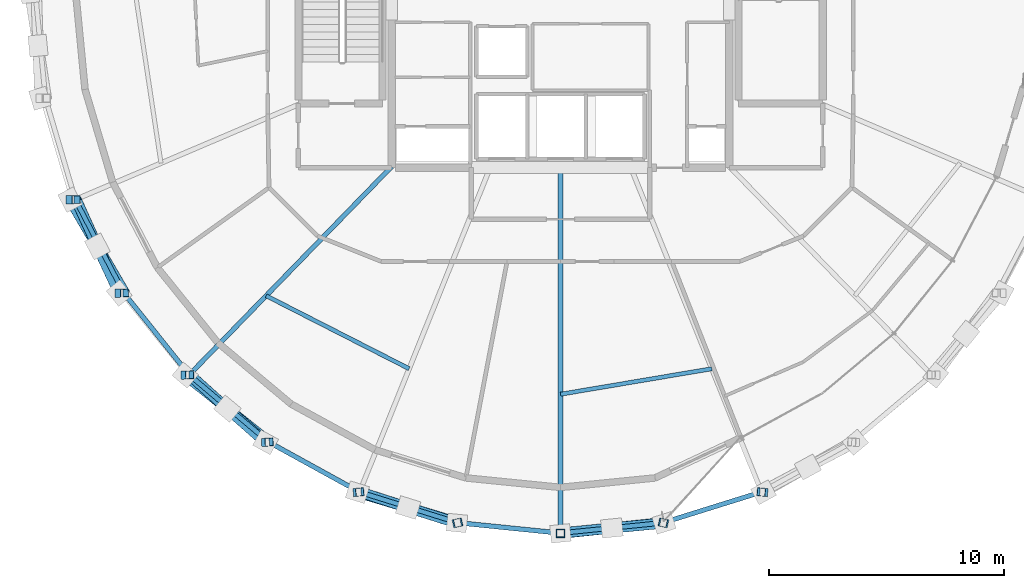
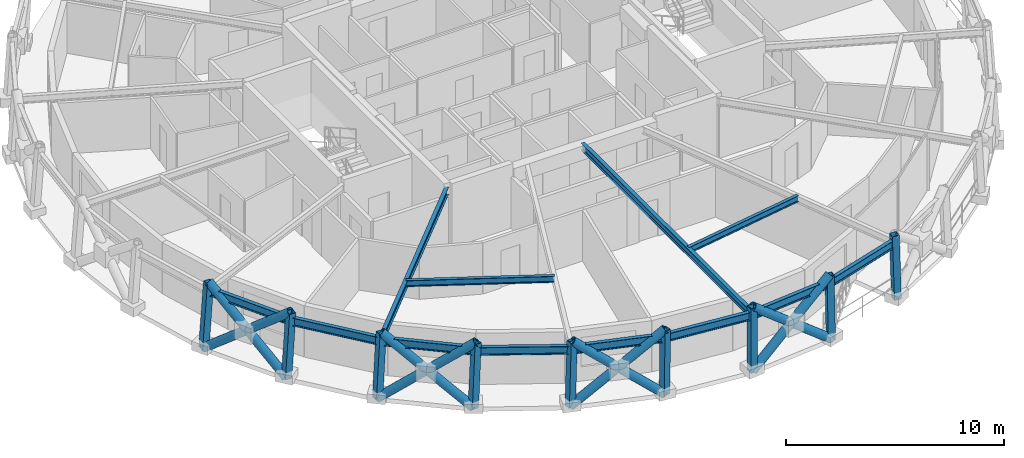
# One storey, part 1 of 15: 21 members, 12 beams.
"""IFC4 building model written with IfcOpenShell, lengths in metres."""

from ifc_helpers import new_model, si_unit, direction, frame, origin, origin_2d, place, context, subcontext, project, spatial, hollow_rectangle, hollow_circle, i_section, extrude, material, material_profile, profile_set, type_object, element, save


model = new_model("IFC4")

# Units and contexts
model_context = context("Model", 3, precision=1e-05, world=origin(), true_north=direction((0.0, 1.0)))
body_context = subcontext(model_context, "Body", "Model", "MODEL_VIEW")
ifc_project = project(units=[si_unit("LENGTHUNIT", "METRE"), si_unit("AREAUNIT", "SQUARE_METRE"), si_unit("VOLUMEUNIT", "CUBIC_METRE"), si_unit("PLANEANGLEUNIT", "RADIAN"), si_unit("MASSUNIT", "GRAM", prefix="KILO")], contexts=[model_context])

# Site, building, storey
site_placement = place(None, origin())
site = spatial("IfcSite", under=ifc_project, at=site_placement, CompositionType="ELEMENT")
building_placement = place(site_placement, origin())
building = spatial("IfcBuilding", under=site, at=building_placement, Name="Veldorina Hangang Commons", CompositionType="ELEMENT")
storey_placement = place(building_placement, frame((0.0, 0.0, 254.39990234375)))
storey = spatial("IfcBuildingStorey", under=building, at=storey_placement, Name="L66", CompositionType="ELEMENT", Elevation=254.39990234375)

# Beams
ifc_material = material(Name="Steel SM355-TMC", Category="steel")
ifc_material_profile_1 = material_profile(ifc_material, i_section(OverallWidth=0.199951171875, OverallDepth=0.39990234375, WebThickness=0.008056640625, FlangeThickness=0.012939453125, FilletRadius=0.012939453125, at=origin_2d()), Name="H-400x200x8x13")
ifc_profile_set_1 = profile_set([ifc_material_profile_1], Name="Steel SM355-TMC")
beam_type_1 = type_object("IfcBeamType", Name="BM-FG400", PredefinedType="BEAM", material=ifc_profile_set_1)
beam_1_placement = place(storey_placement, frame((24.800048828125, 16.59228515625, 3.16015625), z_axis=(-0.696970842647, -0.717099466253, 0.0), x_axis=(0.717099466253, -0.696970842647, 0.0)))
element("IfcBeam", 1, at=beam_1_placement, inside=storey, type_object=beam_type_1, Name="L66 radial floor girder 11", PredefinedType="BEAM", context=body_context, shape_type="SweptSolid", body=[
    extrude(i_section(OverallWidth=0.199951171875, OverallDepth=0.39990234375, WebThickness=0.008056640625, FlangeThickness=0.012939453125, FilletRadius=0.012939453125, at=origin_2d()), origin(), (0.0, 0.0, 1.0), 12.3837890625),
])
beam_2_placement = place(storey_placement, frame((32.0, 16.550048828125, 3.16015625), z_axis=(0.0, -1.0, 0.0), x_axis=(1.0, 0.0, 0.0)))
element("IfcBeam", 2, at=beam_2_placement, inside=storey, type_object=beam_type_1, Name="L66 radial floor girder 13", PredefinedType="BEAM", context=body_context, shape_type="SweptSolid", body=[
    extrude(i_section(OverallWidth=0.199951171875, OverallDepth=0.39990234375, WebThickness=0.008056640625, FlangeThickness=0.012939453125, FilletRadius=0.012939453125, at=origin_2d()), origin(), (0.0, 0.0, 1.0), 15.5849609375),
])
ifc_material_profile_2 = material_profile(ifc_material, i_section(OverallWidth=0.175048828125, OverallDepth=0.35009765625, WebThickness=0.007080078125, FlangeThickness=0.010986328125, FilletRadius=0.012939453125, at=origin_2d()), Name="H-350x175x7x11")
ifc_profile_set_2 = profile_set([ifc_material_profile_2], Name="Steel SM355-TMC")
beam_type_2 = type_object("IfcBeamType", Name="BM-JST350", PredefinedType="JOIST", material=ifc_profile_set_2)
beam_3_placement = place(storey_placement, frame((19.44873046875, 11.08642578125, 3.18505859375), z_axis=(0.890775419184, -0.454443783738, 0.0), x_axis=(0.454443783738, 0.890775419184, 0.0)))
element("IfcBeam", 3, at=beam_3_placement, inside=storey, type_object=beam_type_2, Name="L66 secondary floor joist 11", PredefinedType="JOIST", context=body_context, shape_type="SweptSolid", body=[
    extrude(i_section(OverallWidth=0.175048828125, OverallDepth=0.35009765625, WebThickness=0.007080078125, FlangeThickness=0.010986328125, FilletRadius=0.012939453125, at=origin_2d()), origin(), (0.0, 0.0, 1.0), 6.847412109375),
])
beam_4_placement = place(storey_placement, frame((32.0, 6.887451171875, 3.18505859375), z_axis=(0.986097851837, 0.166165660116, 0.0), x_axis=(-0.166165660116, 0.986097851837, 0.0)))
element("IfcBeam", 4, at=beam_4_placement, inside=storey, type_object=beam_type_2, Name="L66 secondary floor joist 13", PredefinedType="JOIST", context=body_context, shape_type="SweptSolid", body=[
    extrude(i_section(OverallWidth=0.175048828125, OverallDepth=0.35009765625, WebThickness=0.007080078125, FlangeThickness=0.010986328125, FilletRadius=0.012939453125, at=origin_2d()), origin(), (0.0, 0.0, 1.0), 6.542724609375),
])
ifc_material_profile_3 = material_profile(ifc_material, i_section(OverallWidth=0.199951171875, OverallDepth=0.449951171875, WebThickness=0.009033203125, FlangeThickness=0.013916015625, FilletRadius=0.01611328125, at=origin_2d()), Name="H-450x200x9x14")
ifc_profile_set_3 = profile_set([ifc_material_profile_3], Name="Steel SM355-TMC")
beam_type_3 = type_object("IfcBeamType", Name="BM-RB450", PredefinedType="BEAM", material=ifc_profile_set_3)
beam_5_placement = place(storey_placement, frame((11.315673828125, 15.184814453125, 3.135009765625), z_axis=(0.460999842905, -0.887400216836, 0.0), x_axis=(0.887400216836, 0.460999842905, 0.0)))
element("IfcBeam", 5, at=beam_5_placement, inside=storey, type_object=beam_type_3, Name="L66 perimeter hoop ring beam 18", PredefinedType="BEAM", context=body_context, shape_type="SweptSolid", body=[
    extrude(i_section(OverallWidth=0.199951171875, OverallDepth=0.449951171875, WebThickness=0.009033203125, FlangeThickness=0.013916015625, FilletRadius=0.01611328125, at=origin_2d()), origin(), (0.0, 0.0, 1.0), 4.48779296875),
])
beam_6_placement = place(storey_placement, frame((13.384521484375, 11.202392578125, 3.135009765625), z_axis=(0.623607541824, -0.781737573473, 0.0), x_axis=(0.781737573473, 0.623607541824, 0.0)))
element("IfcBeam", 6, at=beam_6_placement, inside=storey, type_object=beam_type_3, Name="L66 perimeter hoop ring beam 19", PredefinedType="BEAM", context=body_context, shape_type="SweptSolid", body=[
    extrude(i_section(OverallWidth=0.199951171875, OverallDepth=0.449951171875, WebThickness=0.009033203125, FlangeThickness=0.013916015625, FilletRadius=0.01611328125, at=origin_2d()), origin(), (0.0, 0.0, 1.0), 4.465087890625),
])
beam_7_placement = place(storey_placement, frame((16.1689453125, 7.7119140625, 3.135009765625), z_axis=(0.764040756968, -0.645167979438, 0.0), x_axis=(0.645167979438, 0.764040756968, 0.0)))
element("IfcBeam", 7, at=beam_7_placement, inside=storey, type_object=beam_type_3, Name="L66 perimeter hoop ring beam 20", PredefinedType="BEAM", context=body_context, shape_type="SweptSolid", body=[
    extrude(i_section(OverallWidth=0.199951171875, OverallDepth=0.449951171875, WebThickness=0.009033203125, FlangeThickness=0.013916015625, FilletRadius=0.01611328125, at=origin_2d()), origin(), (0.0, 0.0, 1.0), 4.4404296875),
])
beam_8_placement = place(storey_placement, frame((19.5615234375, 4.84716796875, 3.135009765625), z_axis=(0.876245078273, -0.481865710341, 0.0), x_axis=(0.481865710341, 0.876245078273, 0.0)))
element("IfcBeam", 8, at=beam_8_placement, inside=storey, type_object=beam_type_3, Name="L66 perimeter hoop ring beam 21", PredefinedType="BEAM", context=body_context, shape_type="SweptSolid", body=[
    extrude(i_section(OverallWidth=0.199951171875, OverallDepth=0.449951171875, WebThickness=0.009033203125, FlangeThickness=0.013916015625, FilletRadius=0.01611328125, at=origin_2d()), origin(), (0.0, 0.0, 1.0), 4.41748046875),
])
beam_9_placement = place(storey_placement, frame((23.432373046875, 2.718505859375, 3.135009765625), z_axis=(0.954584585125, -0.297940044038, 0.0), x_axis=(0.297940044038, 0.954584585125, 0.0)))
element("IfcBeam", 9, at=beam_9_placement, inside=storey, type_object=beam_type_3, Name="L66 perimeter hoop ring beam 22", PredefinedType="BEAM", context=body_context, shape_type="SweptSolid", body=[
    extrude(i_section(OverallWidth=0.199951171875, OverallDepth=0.449951171875, WebThickness=0.009033203125, FlangeThickness=0.013916015625, FilletRadius=0.01611328125, at=origin_2d()), origin(), (0.0, 0.0, 1.0), 4.3994140625),
])
for number, where, z_axis, x_axis, name in (
    (10, (27.632080078125, 1.40771484375, 3.135009765625), (0.994904729935, -0.100819533585, 0.0), (0.100819533585, 0.994904729935, 0.0), "L66 perimeter hoop ring beam 23"),
    (11, (32.0, 0.965087890625, 3.135009765625), (0.994904729935, 0.100819533585, 0.0), (-0.100819533585, 0.994904729935, 0.0), "L66 perimeter hoop ring beam 24"),
):
    element("IfcBeam", number, at=place(storey_placement, frame(where, z_axis=z_axis, x_axis=x_axis)), inside=storey, type_object=beam_type_3, Name=name, PredefinedType="BEAM", context=body_context, shape_type="SweptSolid", body=[
        extrude(i_section(OverallWidth=0.199951171875, OverallDepth=0.449951171875, WebThickness=0.009033203125, FlangeThickness=0.013916015625, FilletRadius=0.01611328125, at=origin_2d()), origin(), (0.0, 0.0, 1.0), 4.390380859375),
    ])
beam_10_placement = place(storey_placement, frame((36.367919921875, 1.40771484375, 3.135009765625), z_axis=(0.954584585125, 0.297940044038, 0.0), x_axis=(-0.297940044038, 0.954584585125, 0.0)))
element("IfcBeam", 12, at=beam_10_placement, inside=storey, type_object=beam_type_3, Name="L66 perimeter hoop ring beam 25", PredefinedType="BEAM", context=body_context, shape_type="SweptSolid", body=[
    extrude(i_section(OverallWidth=0.199951171875, OverallDepth=0.449951171875, WebThickness=0.009033203125, FlangeThickness=0.013916015625, FilletRadius=0.01611328125, at=origin_2d()), origin(), (0.0, 0.0, 1.0), 4.3994140625),
])

# Members
ifc_material_profile_4 = material_profile(ifc_material, hollow_circle(Radius=0.22509765625, WallThickness=0.02197265625, at=origin_2d()), Name="CHS-450x22")
ifc_profile_set_4 = profile_set([ifc_material_profile_4], Name="Steel SM355-TMC")
member_type_1 = type_object("IfcMemberType", Name="DG-CHS450", PredefinedType="BRACE", material=ifc_profile_set_4)
member_1_placement = place(storey_placement, frame((11.093017578125, 15.180908203125, 0.0), z_axis=(0.397106825546, -0.680444299726, 0.615874763305), x_axis=(0.863678901856, 0.504042413383, 0.0)))
element("IfcMember", 13, at=member_1_placement, inside=storey, type_object=member_type_1, Name="L66 continuous perimeter diagrid brace 18", PredefinedType="BRACE", context=body_context, shape_type="SweptSolid", body=[
    extrude(hollow_circle(Radius=0.22509765625, WallThickness=0.02197265625, at=origin_2d()), origin(), (0.0, 0.0, 1.0), 5.845458984375),
])
member_2_placement = place(storey_placement, frame((13.18408203125, 11.196533203125, 0.0), z_axis=(-0.326638682091, 0.700847771615, 0.634128987182), x_axis=(-0.90639297023, -0.422435537706, 0.0)))
element("IfcMember", 14, at=member_2_placement, inside=storey, type_object=member_type_1, Name="L66 split perimeter diagrid lower brace 19", PredefinedType="BRACE", context=body_context, shape_type="SweptSolid", body=[
    extrude(hollow_circle(Radius=0.22509765625, WallThickness=0.02197265625, at=origin_2d()), origin(), (0.0, 0.0, 1.0), 2.84326171875),
])
member_3_placement = place(storey_placement, frame((12.25537109375, 13.189208984375, 1.802978515625), z_axis=(-0.319838101466, 0.704177747897, 0.633906371807), x_axis=(-0.910484651203, -0.413542863467, 0.0)))
element("IfcMember", 15, at=member_3_placement, inside=storey, type_object=member_type_1, Name="L66 split perimeter diagrid upper brace 19", PredefinedType="BRACE", context=body_context, shape_type="SweptSolid", body=[
    extrude(hollow_circle(Radius=0.22509765625, WallThickness=0.02197265625, at=origin_2d()), origin(), (0.0, 0.0, 1.0), 2.8349609375),
])
member_4_placement = place(storey_placement, frame((15.99853515625, 7.704345703125, 0.0), z_axis=(0.614860502863, -0.490128665246, 0.617835296437), x_axis=(0.623329474414, 0.781959312449, 0.0)))
element("IfcMember", 16, at=member_4_placement, inside=storey, type_object=member_type_1, Name="L66 continuous perimeter diagrid brace 20", PredefinedType="BRACE", context=body_context, shape_type="SweptSolid", body=[
    extrude(hollow_circle(Radius=0.22509765625, WallThickness=0.02197265625, at=origin_2d()), origin(), (0.0, 0.0, 1.0), 5.826904296875),
])
member_5_placement = place(storey_placement, frame((19.427734375, 4.83837890625, 0.0), z_axis=(-0.577486772224, 0.507213348213, 0.639721538876), x_axis=(-0.659912681103, -0.751342301031, 0.0)))
element("IfcMember", 17, at=member_5_placement, inside=storey, type_object=member_type_1, Name="L66 split perimeter diagrid lower brace 21", PredefinedType="BRACE", context=body_context, shape_type="SweptSolid", body=[
    extrude(hollow_circle(Radius=0.22509765625, WallThickness=0.02197265625, at=origin_2d()), origin(), (0.0, 0.0, 1.0), 2.824462890625),
])
member_6_placement = place(storey_placement, frame((17.796630859375, 6.27099609375, 1.806884765625), z_axis=(-0.571504831347, 0.514215041733, 0.639503806558), x_axis=(-0.668864613544, -0.743384240315, 0.0)))
element("IfcMember", 18, at=member_6_placement, inside=storey, type_object=member_type_1, Name="L66 split perimeter diagrid upper brace 21", PredefinedType="BRACE", context=body_context, shape_type="SweptSolid", body=[
    extrude(hollow_circle(Radius=0.22509765625, WallThickness=0.02197265625, at=origin_2d()), origin(), (0.0, 0.0, 1.0), 2.803955078125),
])
member_7_placement = place(storey_placement, frame((23.340087890625, 2.708740234375, 0.0), z_axis=(0.74688485236, -0.225774778188, 0.625450850866), x_axis=(0.289357068421, 0.957221231981, 0.0)))
element("IfcMember", 19, at=member_7_placement, inside=storey, type_object=member_type_1, Name="L66 continuous perimeter diagrid brace 22", PredefinedType="BRACE", context=body_context, shape_type="SweptSolid", body=[
    extrude(hollow_circle(Radius=0.22509765625, WallThickness=0.02197265625, at=origin_2d()), origin(), (0.0, 0.0, 1.0), 5.756103515625),
])
member_8_placement = place(storey_placement, frame((27.585205078125, 1.397216796875, 0.0), z_axis=(-0.734272796847, 0.231966189395, 0.637993061708), x_axis=(-0.30123831669, -0.953548885248, 0.0)))
element("IfcMember", 20, at=member_8_placement, inside=storey, type_object=member_type_1, Name="L66 split perimeter diagrid lower brace 23", PredefinedType="BRACE", context=body_context, shape_type="SweptSolid", body=[
    extrude(hollow_circle(Radius=0.22509765625, WallThickness=0.02197265625, at=origin_2d()), origin(), (0.0, 0.0, 1.0), 2.83740234375),
])
member_9_placement = place(storey_placement, frame((25.501708984375, 2.055419921875, 1.810302734375), z_axis=(-0.732730265145, 0.236875508518, 0.637962657218), x_axis=(-0.307603644806, -0.951514580919, 0.0)))
element("IfcMember", 21, at=member_9_placement, inside=storey, type_object=member_type_1, Name="L66 split perimeter diagrid upper brace 23", PredefinedType="BRACE", context=body_context, shape_type="SweptSolid", body=[
    extrude(hollow_circle(Radius=0.22509765625, WallThickness=0.02197265625, at=origin_2d()), origin(), (0.0, 0.0, 1.0), 2.805419921875),
])
member_10_placement = place(storey_placement, frame((32.0, 0.95458984375, 0.0), z_axis=(0.768684711658, 0.080130496759, 0.634588778306), x_axis=(-0.103681826286, 0.994610516181, 0.0)))
element("IfcMember", 22, at=member_10_placement, inside=storey, type_object=member_type_1, Name="L66 continuous perimeter diagrid brace 24", PredefinedType="BRACE", context=body_context, shape_type="SweptSolid", body=[
    extrude(hollow_circle(Radius=0.22509765625, WallThickness=0.02197265625, at=origin_2d()), origin(), (0.0, 0.0, 1.0), 5.673095703125),
])
member_11_placement = place(storey_placement, frame((36.414794921875, 1.397216796875, 0.0), z_axis=(-0.772885077108, -0.074417160645, 0.630167234776), x_axis=(0.09584165916, -0.995396592504, 0.0)))
element("IfcMember", 23, at=member_11_placement, inside=storey, type_object=member_type_1, Name="L66 split perimeter diagrid lower brace 25", PredefinedType="BRACE", context=body_context, shape_type="SweptSolid", body=[
    extrude(hollow_circle(Radius=0.22509765625, WallThickness=0.02197265625, at=origin_2d()), origin(), (0.0, 0.0, 1.0), 2.873779296875),
])
member_12_placement = place(storey_placement, frame((34.193603515625, 1.183349609375, 1.81103515625), z_axis=(-0.772686120161, -0.07627964258, 0.630188524045), x_axis=(0.098242530792, -0.995162501878, 0.0)))
element("IfcMember", 24, at=member_12_placement, inside=storey, type_object=member_type_1, Name="L66 split perimeter diagrid upper brace 25", PredefinedType="BRACE", context=body_context, shape_type="SweptSolid", body=[
    extrude(hollow_circle(Radius=0.22509765625, WallThickness=0.02197265625, at=origin_2d()), origin(), (0.0, 0.0, 1.0), 2.8388671875),
])
ifc_material_profile_5 = material_profile(ifc_material, hollow_rectangle(XDim=0.35009765625, YDim=0.35009765625, WallThickness=0.01611328125, at=origin_2d()), Name="SHS-350x350x16")
ifc_profile_set_5 = profile_set([ifc_material_profile_5], Name="Steel SM355-TMC")
member_type_2 = type_object("IfcMemberType", Name="STR-SHS350", PredefinedType="STRUT", material=ifc_profile_set_5)
member_13_placement = place(storey_placement, frame((11.093017578125, 15.180908203125, 0.0), z_axis=(0.070823948145, 0.001285248343, 0.997488003189), x_axis=(-0.018144099583, 0.999835382276, 0.0)))
element("IfcMember", 25, at=member_13_placement, inside=storey, type_object=member_type_2, Name="L66 perimeter ring node post 18", PredefinedType="STRUT", context=body_context, shape_type="SweptSolid", body=[
    extrude(hollow_rectangle(XDim=0.35009765625, YDim=0.35009765625, WallThickness=0.01611328125, at=origin_2d()), origin(), (0.0, 0.0, 1.0), 3.609130859375),
])
member_14_placement = place(storey_placement, frame((13.18408203125, 11.196533203125, 0.0), z_axis=(0.063819068512, 0.001894945831, 0.997959686398), x_axis=(-0.029679390409, 0.999559469859, 0.0)))
element("IfcMember", 26, at=member_14_placement, inside=storey, type_object=member_type_2, Name="L66 perimeter ring node post 19", PredefinedType="STRUT", context=body_context, shape_type="SweptSolid", body=[
    extrude(hollow_rectangle(XDim=0.35009765625, YDim=0.35009765625, WallThickness=0.01611328125, at=origin_2d()), origin(), (0.0, 0.0, 1.0), 3.607421875),
])
member_15_placement = place(storey_placement, frame((15.99853515625, 7.704345703125, 0.0), z_axis=(0.054239700947, 0.002370024386, 0.998525131294), x_axis=(-0.043653726915, 0.999046721693, 0.0)))
element("IfcMember", 27, at=member_15_placement, inside=storey, type_object=member_type_2, Name="L66 perimeter ring node post 20", PredefinedType="STRUT", context=body_context, shape_type="SweptSolid", body=[
    extrude(hollow_rectangle(XDim=0.35009765625, YDim=0.35009765625, WallThickness=0.01611328125, at=origin_2d()), origin(), (0.0, 0.0, 1.0), 3.60546875),
])
member_16_placement = place(storey_placement, frame((19.427734375, 4.83837890625, 0.0), z_axis=(0.04261671784, 0.002777878269, 0.99908763317), x_axis=(-0.065044795148, 0.997882345081, 0.0)))
element("IfcMember", 28, at=member_16_placement, inside=storey, type_object=member_type_2, Name="L66 perimeter ring node post 21", PredefinedType="STRUT", context=body_context, shape_type="SweptSolid", body=[
    extrude(hollow_rectangle(XDim=0.35009765625, YDim=0.35009765625, WallThickness=0.01611328125, at=origin_2d()), origin(), (0.0, 0.0, 1.0), 3.603271484375),
])
member_17_placement = place(storey_placement, frame((23.340087890625, 2.708740234375, 0.0), z_axis=(0.029418828304, 0.003118124659, 0.999562309133), x_axis=(-0.105400400395, 0.994429864594, 0.0)))
element("IfcMember", 29, at=member_17_placement, inside=storey, type_object=member_type_2, Name="L66 perimeter ring node post 22", PredefinedType="STRUT", context=body_context, shape_type="SweptSolid", body=[
    extrude(hollow_rectangle(XDim=0.35009765625, YDim=0.35009765625, WallThickness=0.01611328125, at=origin_2d()), origin(), (0.0, 0.0, 1.0), 3.6015625),
])
member_18_placement = place(storey_placement, frame((27.585205078125, 1.397216796875, 0.0), z_axis=(0.014985349564, 0.003322543568, 0.999882193062), x_axis=(-0.216462686415, 0.976290891789, 0.0)))
element("IfcMember", 30, at=member_18_placement, inside=storey, type_object=member_type_2, Name="L66 perimeter ring node post 23", PredefinedType="STRUT", context=body_context, shape_type="SweptSolid", body=[
    extrude(hollow_rectangle(XDim=0.35009765625, YDim=0.35009765625, WallThickness=0.01611328125, at=origin_2d()), origin(), (0.0, 0.0, 1.0), 3.6005859375),
])
member_19_placement = place(storey_placement, frame((32.0, 0.95458984375, 0.0), z_axis=(0.0, 0.003390730542, 0.999994251457), x_axis=(-1.0, 0.0, 0.0)))
element("IfcMember", 31, at=member_19_placement, inside=storey, type_object=member_type_2, Name="L66 perimeter ring node post 24", PredefinedType="STRUT", context=body_context, shape_type="SweptSolid", body=[
    extrude(hollow_rectangle(XDim=0.35009765625, YDim=0.35009765625, WallThickness=0.01611328125, at=origin_2d()), origin(), (0.0, 0.0, 1.0), 3.60009765625),
])
member_20_placement = place(storey_placement, frame((36.414794921875, 1.397216796875, 0.0), z_axis=(-0.014985349564, 0.003322543568, 0.999882193062), x_axis=(-0.216462686415, -0.976290891789, 0.0)))
element("IfcMember", 32, at=member_20_placement, inside=storey, type_object=member_type_2, Name="L66 perimeter ring node post 25", PredefinedType="STRUT", context=body_context, shape_type="SweptSolid", body=[
    extrude(hollow_rectangle(XDim=0.35009765625, YDim=0.35009765625, WallThickness=0.01611328125, at=origin_2d()), origin(), (0.0, 0.0, 1.0), 3.6005859375),
])
member_21_placement = place(storey_placement, frame((40.659912109375, 2.708740234375, 0.0), z_axis=(-0.029418828304, 0.003118124659, 0.999562309133), x_axis=(-0.105400400395, -0.994429864594, 0.0)))
element("IfcMember", 33, at=member_21_placement, inside=storey, type_object=member_type_2, Name="L66 perimeter ring node post 26", PredefinedType="STRUT", context=body_context, shape_type="SweptSolid", body=[
    extrude(hollow_rectangle(XDim=0.35009765625, YDim=0.35009765625, WallThickness=0.01611328125, at=origin_2d()), origin(), (0.0, 0.0, 1.0), 3.6015625),
])

save(model, "model.ifc")
